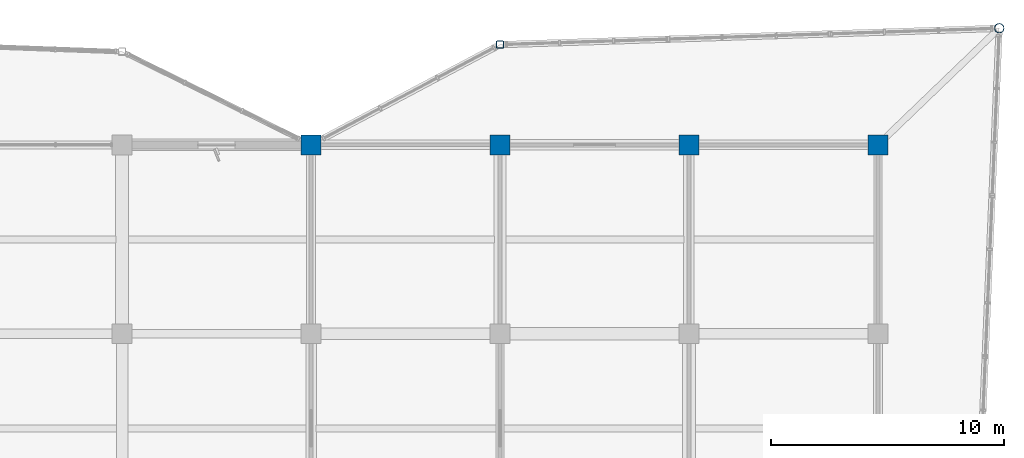
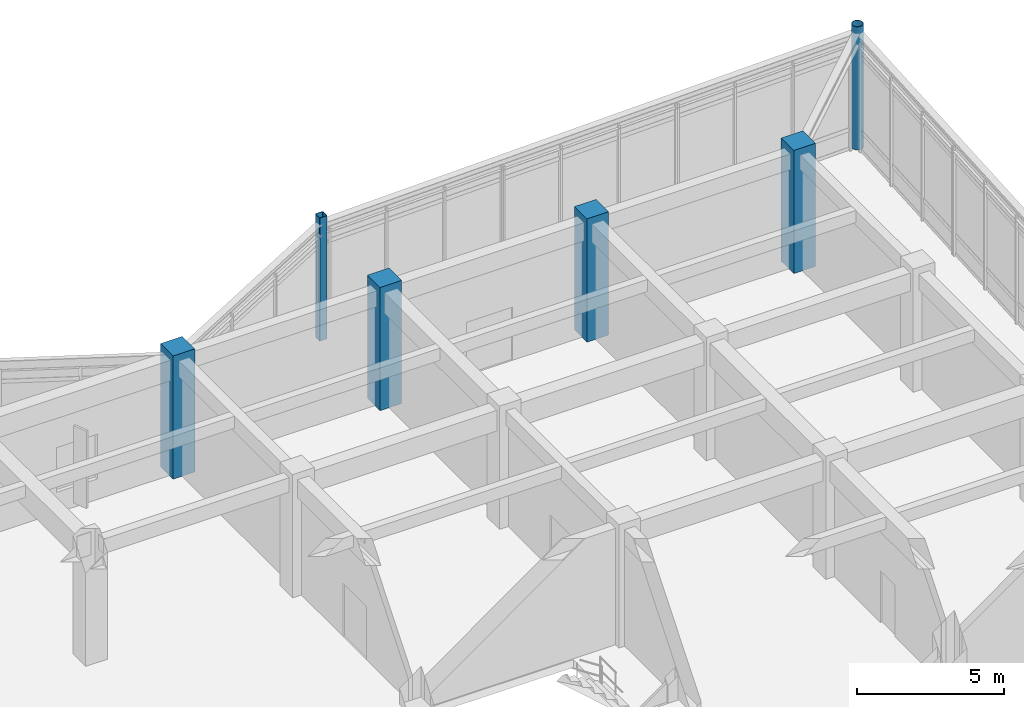
# One storey, part 21 of 99: 6 columns.
"""IFC4 building model written with IfcOpenShell, lengths in metres."""

from ifc_helpers import new_model, si_unit, direction, frame, origin, origin_2d, place, context, subcontext, project, spatial, rectangle, hollow_rectangle, hollow_circle, extrude, material, material_profile, profile_set, type_object, element, save


model = new_model("IFC4")

# Units and contexts
model_context = context("Model", 3, precision=1e-05, world=origin(), true_north=direction((0.0, 1.0)))
body_context = subcontext(model_context, "Body", "Model", "MODEL_VIEW")
ifc_project = project(units=[si_unit("LENGTHUNIT", "METRE"), si_unit("AREAUNIT", "SQUARE_METRE"), si_unit("VOLUMEUNIT", "CUBIC_METRE"), si_unit("PLANEANGLEUNIT", "RADIAN"), si_unit("MASSUNIT", "GRAM", prefix="KILO")], contexts=[model_context])

# Site, building, storey
site_placement = place(None, origin())
site = spatial("IfcSite", under=ifc_project, at=site_placement, CompositionType="ELEMENT")
building_placement = place(site_placement, origin())
building = spatial("IfcBuilding", under=site, at=building_placement, Name="Vaudrelin Polytechnic", CompositionType="ELEMENT")
storey_placement = place(building_placement, origin())
storey = spatial("IfcBuildingStorey", under=building, at=storey_placement, Name="L00", CompositionType="ELEMENT", Elevation=0.0)

# Columns
ifc_material_1 = material(Name="Steel CSA G40.21 350WT", Category="steel")
ifc_material_profile_1 = material_profile(ifc_material_1, hollow_rectangle(XDim=0.304931640625, YDim=0.304931640625, WallThickness=0.0126953125, InnerFilletRadius=0.0126953125, OuterFilletRadius=0.025390625, at=origin_2d()), Name="HSS305x305x12.7")
ifc_profile_set_1 = profile_set([ifc_material_profile_1], Name="Steel CSA G40.21 350WT")
column_type_1 = type_object("IfcColumnType", Name="COL-C-HSS305", PredefinedType="COLUMN", material=ifc_profile_set_1)
column_1_placement = place(storey_placement, frame((153.89990234375, 125.800048828125, 0.0), z_axis=(0.0, 0.0, 1.0), x_axis=(1.0, 0.0, 0.0)))
element("IfcColumn", 1, at=column_1_placement, inside=storey, type_object=column_type_1, Name="Deconstructivist column L00 NE_N", PredefinedType="COLUMN", context=body_context, shape_type="SweptSolid", body=[
    extrude(hollow_rectangle(XDim=0.304931640625, YDim=0.304931640625, WallThickness=0.0126953125, InnerFilletRadius=0.0126953125, OuterFilletRadius=0.025390625, at=origin_2d()), origin(), (0.0, 0.0, 1.0), 5.10009765625),
])
ifc_material_2 = material(Name="Concrete 50 MPa", Category="concrete")
ifc_material_profile_2 = material_profile(ifc_material_2, rectangle(XDim=0.85009765625, YDim=0.85009765625, at=origin_2d()), Name="RC850x850")
ifc_profile_set_2 = profile_set([ifc_material_profile_2], Name="Concrete 50 MPa")
column_type_2 = type_object("IfcColumnType", Name="COL-C-RC850", PredefinedType="COLUMN", material=ifc_profile_set_2)
for number, where, z_axis, x_axis, name in (
    (2, (145.800048828125, 121.5, 0.0), (0.0, 0.0, 1.0), (1.0, 0.0, 0.0), "Column L00 19-16"),
    (3, (153.89990234375, 121.5, 0.0), (0.0, 0.0, 1.0), (1.0, 0.0, 0.0), "Column L00 20-16"),
    (4, (162.0, 121.5, 0.0), (0.0, 0.0, 1.0), (1.0, 0.0, 0.0), "Column L00 21-16"),
    (5, (170.10009765625, 121.5, 0.0), (0.0, 0.0, 1.0), (1.0, 0.0, 0.0), "Column L00 22-16"),
):
    element("IfcColumn", number, at=place(storey_placement, frame(where, z_axis=z_axis, x_axis=x_axis)), inside=storey, type_object=column_type_2, Name=name, PredefinedType="COLUMN", context=body_context, shape_type="SweptSolid", body=[
        extrude(rectangle(XDim=0.85009765625, YDim=0.85009765625, at=origin_2d()), origin(), (0.0, 0.0, 1.0), 5.10009765625),
    ])
ifc_material_profile_3 = material_profile(ifc_material_1, hollow_circle(Radius=0.203125, WallThickness=0.015869140625, at=origin_2d()), Name="CHS406.4x15.9")
ifc_profile_set_3 = profile_set([ifc_material_profile_3], Name="Steel CSA G40.21 350WT")
column_type_3 = type_object("IfcColumnType", Name="COL-C-TR406", PredefinedType="COLUMN", material=ifc_profile_set_3)
column_2_placement = place(storey_placement, frame((175.300048828125, 126.5, 0.0), z_axis=(0.0, 0.0, 1.0), x_axis=(1.0, 0.0, 0.0)))
element("IfcColumn", 6, at=column_2_placement, inside=storey, type_object=column_type_3, Name="Deconstructivist column L00 NE_APX", PredefinedType="COLUMN", context=body_context, shape_type="SweptSolid", body=[
    extrude(hollow_circle(Radius=0.203125, WallThickness=0.015869140625, at=origin_2d()), origin(), (0.0, 0.0, 1.0), 5.10009765625),
])

save(model, "model.ifc")
